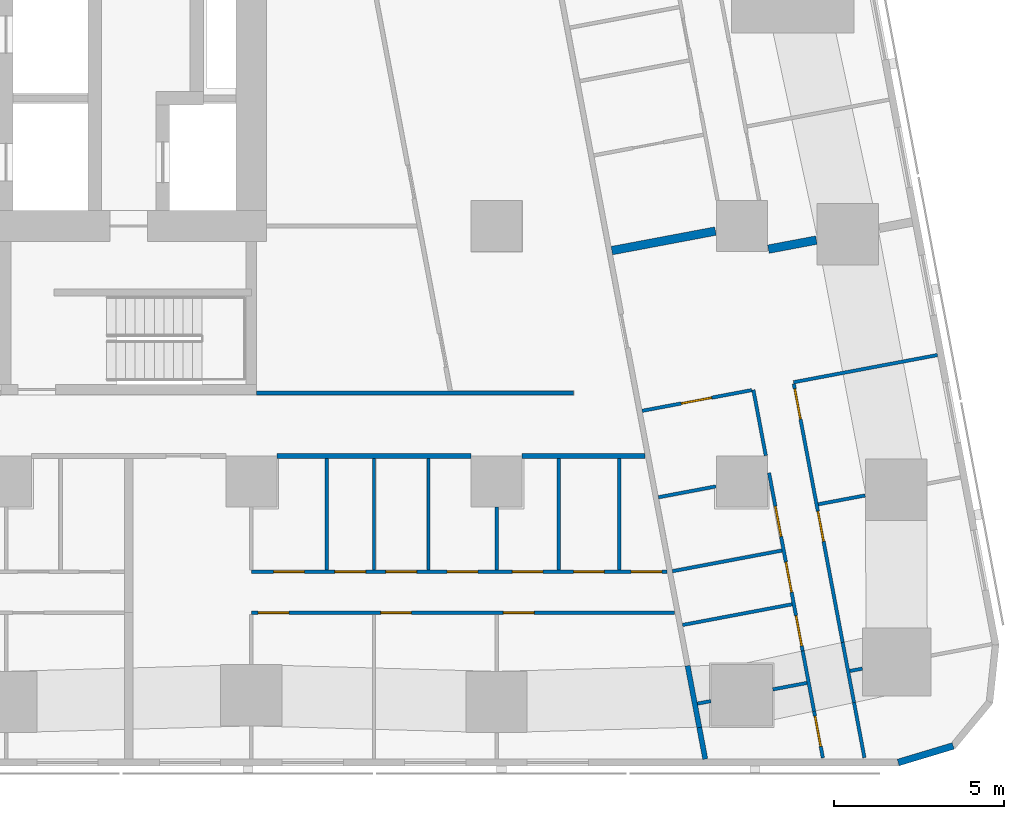
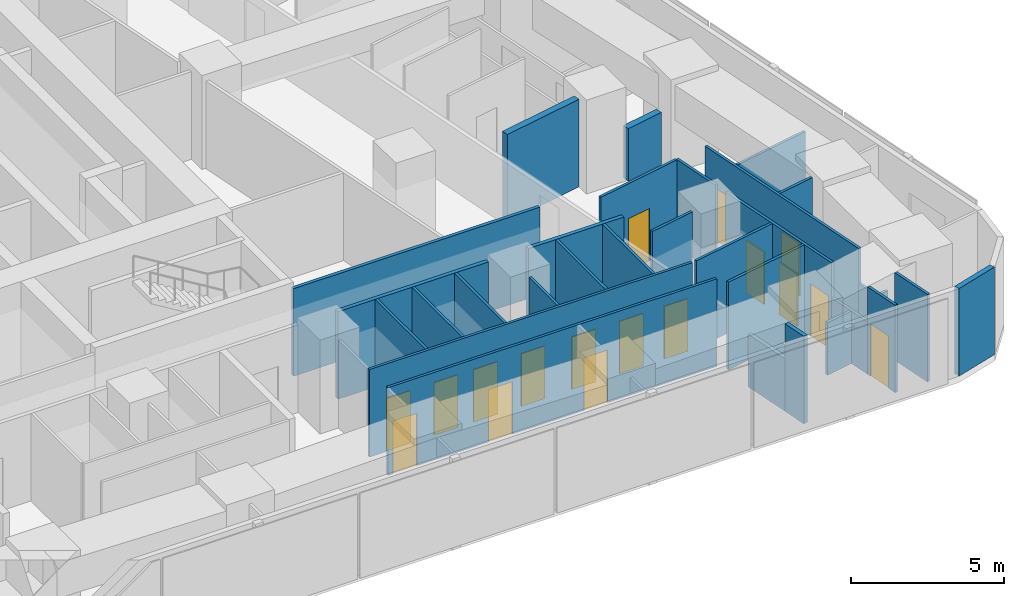
# One storey, part 6 of 15: 32 walls, 17 doors, 17 openings.
"""IFC4 building model written with IfcOpenShell, lengths in metres."""

from ifc_helpers import new_model, si_unit, direction, frame, frame_2d, origin, place, context, subcontext, project, spatial, rectangle, extrude, material, layer, layer_set, type_object, element, fill, save


model = new_model("IFC4")

# Units and contexts
model_context = context("Model", 3, precision=1e-05, world=origin(), true_north=direction((0.0, 1.0)))
body_context = subcontext(model_context, "Body", "Model", "MODEL_VIEW")
ifc_project = project(units=[si_unit("LENGTHUNIT", "METRE"), si_unit("AREAUNIT", "SQUARE_METRE"), si_unit("VOLUMEUNIT", "CUBIC_METRE"), si_unit("PLANEANGLEUNIT", "RADIAN"), si_unit("MASSUNIT", "GRAM", prefix="KILO")], contexts=[model_context])

# Site, building, storey
site_placement = place(None, origin())
site = spatial("IfcSite", under=ifc_project, at=site_placement, CompositionType="ELEMENT")
building_placement = place(site_placement, origin())
building = spatial("IfcBuilding", under=site, at=building_placement, Name="Sheger Commons Tower", CompositionType="ELEMENT")
storey_placement = place(building_placement, frame((0.0, 0.0, 154.550048828125)))
storey = spatial("IfcBuildingStorey", under=building, at=storey_placement, Name="L39", CompositionType="ELEMENT", Elevation=154.550048828125)

# Walls
ifc_material_1 = material(Name="Hollow concrete block masonry, skimmed both sides", Category="masonry")
ifc_layer_1 = layer(ifc_material_1, 0.14990234375)
ifc_layer_set_1 = layer_set([ifc_layer_1], Name="CORRIDOR WALL 150")
wall_type_1 = type_object("IfcWallType", Name="CORRIDOR WALL 150", PredefinedType="SOLIDWALL", material=ifc_layer_set_1)
wall_1_placement = place(storey_placement, frame((40.35595703125, 8.25, 0.0), z_axis=(0.0, 0.0, 1.0), x_axis=(-1.0, 0.0, 0.0)))
element("IfcWall", 1, at=wall_1_placement, inside=storey, type_object=wall_type_1, Name="Corridor wall L39", PredefinedType="SOLIDWALL", context=body_context, shape_type="SweptSolid", body=[
    extrude(rectangle(XDim=3.60498046875, YDim=0.14990234375, at=frame_2d((1.802490234375, 0.0))), origin(), (0.0, 0.0, 1.0), 3.5),
])
wall_2_placement = place(storey_placement, frame((35.2490234375, 8.25, 0.0), z_axis=(0.0, 0.0, 1.0), x_axis=(-1.0, 0.0, 0.0)))
element("IfcWall", 2, at=wall_2_placement, inside=storey, type_object=wall_type_1, Name="Corridor wall L39", PredefinedType="SOLIDWALL", context=body_context, shape_type="SweptSolid", body=[
    extrude(rectangle(XDim=5.697998046875, YDim=0.14990234375, at=frame_2d((2.84912109375, 0.0))), origin(), (0.0, 0.0, 1.0), 3.5),
])
wall_3_placement = place(storey_placement, frame((41.60888671875, 2.093017578125, 0.0), z_axis=(0.0, 0.0, 1.0), x_axis=(0.185708872674, -0.982604811005, 0.0)))
element("IfcWall", 3, at=wall_3_placement, inside=storey, type_object=wall_type_1, Name="Corridor wall L39", PredefinedType="SOLIDWALL", context=body_context, shape_type="SweptSolid", body=[
    extrude(rectangle(XDim=1.84716796875, YDim=0.14990234375, at=frame_2d((0.923583984375, 0.0))), origin(), (0.0, 0.0, 1.0), 2.099853515625),
])
wall_4_placement = place(storey_placement, frame((41.951904296875, 0.278076171875, 0.0), z_axis=(0.0, 0.0, 1.0), x_axis=(0.185365466984, -0.982669651332, 0.0)))
element("IfcWall", 4, at=wall_4_placement, inside=storey, type_object=wall_type_1, Name="Corridor wall L39", PredefinedType="SOLIDWALL", context=body_context, shape_type="SweptSolid", body=[
    extrude(rectangle(XDim=0.9443359375, YDim=0.14990234375, at=frame_2d((0.47216796875, 0.0))), origin(), (0.0, 0.0, 1.0), 3.5),
])
ifc_material_2 = material(Name="Dense concrete block masonry, plastered both sides (separating wall between flats)", Category="masonry")
ifc_layer_2 = layer(ifc_material_2, 0.25)
ifc_layer_set_2 = layer_set([ifc_layer_2], Name="DEMISING WALL 250")
wall_type_2 = type_object("IfcWallType", Name="DEMISING WALL 250", PredefinedType="SOLIDWALL", material=ifc_layer_set_2)
wall_5_placement = place(storey_placement, frame((45.389892578125, 14.587890625, 0.0), z_axis=(0.0, 0.0, 1.0), x_axis=(-0.982680951688, -0.18530555089, 0.0)))
element("IfcWall", 5, at=wall_5_placement, inside=storey, type_object=wall_type_2, Name="Demising wall L39", PredefinedType="SOLIDWALL", context=body_context, shape_type="SweptSolid", body=[
    extrude(rectangle(XDim=1.434814453125, YDim=0.25, at=frame_2d((0.71728515625, 0.0))), origin(), (0.0, 0.0, 1.0), 2.099853515625),
])
wall_6_placement = place(storey_placement, frame((42.426025390625, 14.85302734375, 0.0), z_axis=(0.0, 0.0, 1.0), x_axis=(-0.982660840416, -0.185412169809, 0.0)))
element("IfcWall", 6, at=wall_6_placement, inside=storey, type_object=wall_type_2, Name="Demising wall L39", PredefinedType="SOLIDWALL", context=body_context, shape_type="SweptSolid", body=[
    extrude(rectangle(XDim=3.095703125, YDim=0.25, at=frame_2d((1.5478515625, 0.0))), origin(), (0.0, 0.0, 1.0), 3.5),
])
ifc_material_3 = material(Name="Rendered concrete block masonry, dark grey", Category="masonry")
ifc_layer_3 = layer(ifc_material_3, 0.199951171875)
ifc_layer_set_3 = layer_set([ifc_layer_3], Name="FACADE WALL 200")
wall_type_3 = type_object("IfcWallType", Name="FACADE WALL 200", PredefinedType="SOLIDWALL", material=ifc_layer_set_3)
wall_7_placement = place(storey_placement, frame((47.791015625, -0.75, 0.0), z_axis=(0.0, 0.0, 1.0), x_axis=(0.957455232626, 0.288581838509, 0.0)))
element("IfcWall", 7, at=wall_7_placement, inside=storey, type_object=wall_type_3, Name="Facade wall L39", PredefinedType="SOLIDWALL", context=body_context, shape_type="SweptSolid", body=[
    extrude(rectangle(XDim=1.687744140625, YDim=0.199951171875, at=frame_2d((0.84375, 0.0))), origin(), (0.0, 0.0, 1.0), 3.5),
])

# Wall, openings, doors
ifc_material_4 = material(Name="Gypsum board on steel studs", Category="steel")
ifc_layer_4 = layer(ifc_material_4, 0.10009765625)
ifc_layer_set_4 = layer_set([ifc_layer_4], Name="PARTITION 100")
wall_type_4 = type_object("IfcWallType", Name="PARTITION 100", PredefinedType="PARTITIONING", material=ifc_layer_set_4)
wall_8_placement = place(storey_placement, frame((41.22900390625, 3.64990234375, 0.0), z_axis=(0.0, 0.0, 1.0), x_axis=(-1.0, 0.0, 0.0)))
wall_8 = element("IfcWall", 8, at=wall_8_placement, inside=storey, type_object=wall_type_4, Name="Partition L39", PredefinedType="PARTITIONING", context=body_context, shape_type="SweptSolid", body=[
    extrude(rectangle(XDim=12.428955078125, YDim=0.10009765625, at=frame_2d((6.21435546875, 0.0))), origin(), (0.0, 0.0, 1.0), 3.5),
])
opening_1_placement = place(wall_8_placement, frame((11.3291015625, 0.0, 0.0)))
opening_1 = element("IfcOpeningElement", 9, at=opening_1_placement, cuts=wall_8, Name="Opening D2", PredefinedType="OPENING", context=body_context, shape_type="SweptSolid", body=[
    extrude(rectangle(XDim=0.89990234375, YDim=2.10009765625, at=frame_2d((0.449951171875, 1.050048828125))), frame((0.0, 0.06005859375, 0.0), z_axis=(0.0, -1.0, 0.0), x_axis=(1.0, 0.0, 0.0)), (0.0, 0.0, 1.0), 0.1201171875),
])
opening_2_placement = place(wall_8_placement, frame((7.72900390625, 0.0, 0.0)))
opening_2 = element("IfcOpeningElement", 10, at=opening_2_placement, cuts=wall_8, Name="Opening D2", PredefinedType="OPENING", context=body_context, shape_type="SweptSolid", body=[
    extrude(rectangle(XDim=0.89990234375, YDim=2.10009765625, at=frame_2d((0.449951171875, 1.050048828125))), frame((0.0, 0.06005859375, 0.0), z_axis=(0.0, -1.0, 0.0), x_axis=(1.0, 0.0, 0.0)), (0.0, 0.0, 1.0), 0.1201171875),
])
opening_3_placement = place(wall_8_placement, frame((4.12890625, 0.0, 0.0)))
opening_3 = element("IfcOpeningElement", 11, at=opening_3_placement, cuts=wall_8, Name="Opening D2", PredefinedType="OPENING", context=body_context, shape_type="SweptSolid", body=[
    extrude(rectangle(XDim=0.89990234375, YDim=2.10009765625, at=frame_2d((0.449951171875, 1.050048828125))), frame((0.0, 0.06005859375, 0.0), z_axis=(0.0, -1.0, 0.0), x_axis=(1.0, 0.0, 0.0)), (0.0, 0.0, 1.0), 0.1201171875),
])
ifc_material_5 = material(Name="Timber door set", Category="wood")
door_type = type_object("IfcDoorType", Name="INTERNAL DOOR 900x2100", OperationType="NOTDEFINED", PredefinedType="DOOR", material=ifc_material_5)
door_1_placement = place(opening_1_placement, origin())
door_1 = element("IfcDoor", 12, at=door_1_placement, inside=storey, type_object=door_type, Name="Main bedroom door", OperationType="SINGLE_SWING_RIGHT", OverallHeight=2.10009765625, OverallWidth=0.89990234375, PredefinedType="DOOR", context=body_context, shape_type="SweptSolid", body=[
    extrude(rectangle(XDim=0.89990234375, YDim=2.10009765625, at=frame_2d((0.449951171875, 1.050048828125))), frame((0.0, 0.02490234375, 0.0), z_axis=(0.0, -1.0, 0.0), x_axis=(1.0, 0.0, 0.0)), (0.0, 0.0, 1.0), 0.050048828125),
])
fill(opening_1, door_1)
door_2_placement = place(opening_2_placement, origin())
door_2 = element("IfcDoor", 13, at=door_2_placement, inside=storey, type_object=door_type, Name="Bedroom 2 door", OperationType="SINGLE_SWING_RIGHT", OverallHeight=2.10009765625, OverallWidth=0.89990234375, PredefinedType="DOOR", context=body_context, shape_type="SweptSolid", body=[
    extrude(rectangle(XDim=0.89990234375, YDim=2.10009765625, at=frame_2d((0.449951171875, 1.050048828125))), frame((0.0, 0.02490234375, 0.0), z_axis=(0.0, -1.0, 0.0), x_axis=(1.0, 0.0, 0.0)), (0.0, 0.0, 1.0), 0.050048828125),
])
fill(opening_2, door_2)
door_3_placement = place(opening_3_placement, origin())
door_3 = element("IfcDoor", 14, at=door_3_placement, inside=storey, type_object=door_type, Name="Bedroom 3 door", OperationType="SINGLE_SWING_RIGHT", OverallHeight=2.10009765625, OverallWidth=0.89990234375, PredefinedType="DOOR", context=body_context, shape_type="SweptSolid", body=[
    extrude(rectangle(XDim=0.89990234375, YDim=2.10009765625, at=frame_2d((0.449951171875, 1.050048828125))), frame((0.0, 0.02490234375, 0.0), z_axis=(0.0, -1.0, 0.0), x_axis=(1.0, 0.0, 0.0)), (0.0, 0.0, 1.0), 0.050048828125),
])
fill(opening_3, door_3)

wall_9_placement = place(storey_placement, frame((41.001953125, 4.85009765625, 0.0), z_axis=(0.0, 0.0, 1.0), x_axis=(-1.0, 0.0, 0.0)))
wall_9 = element("IfcWall", 15, at=wall_9_placement, inside=storey, type_object=wall_type_4, Name="Partition L39", PredefinedType="PARTITIONING", context=body_context, shape_type="SweptSolid", body=[
    extrude(rectangle(XDim=12.201904296875, YDim=0.10009765625, at=frame_2d((6.10107421875, 0.0))), origin(), (0.0, 0.0, 1.0), 3.5),
])
opening_4_placement = place(wall_9_placement, frame((10.64697265625, 0.0, 0.0)))
opening_4 = element("IfcOpeningElement", 16, at=opening_4_placement, cuts=wall_9, Name="Opening D2", PredefinedType="OPENING", context=body_context, shape_type="SweptSolid", body=[
    extrude(rectangle(XDim=0.89990234375, YDim=2.10009765625, at=frame_2d((0.449951171875, 1.050048828125))), frame((0.0, 0.06005859375, 0.0), z_axis=(0.0, -1.0, 0.0), x_axis=(1.0, 0.0, 0.0)), (0.0, 0.0, 1.0), 0.1201171875),
])
opening_5_placement = place(wall_9_placement, frame((7.35205078125, 0.0, 0.0)))
opening_5 = element("IfcOpeningElement", 17, at=opening_5_placement, cuts=wall_9, Name="Opening D2", PredefinedType="OPENING", context=body_context, shape_type="SweptSolid", body=[
    extrude(rectangle(XDim=0.89990234375, YDim=2.10009765625, at=frame_2d((0.449951171875, 1.050048828125))), frame((0.0, 0.06005859375, 0.0), z_axis=(0.0, -1.0, 0.0), x_axis=(1.0, 0.0, 0.0)), (0.0, 0.0, 1.0), 0.1201171875),
])
opening_6_placement = place(wall_9_placement, frame((3.64208984375, 0.0, 0.0)))
opening_6 = element("IfcOpeningElement", 18, at=opening_6_placement, cuts=wall_9, Name="Opening D2", PredefinedType="OPENING", context=body_context, shape_type="SweptSolid", body=[
    extrude(rectangle(XDim=0.89990234375, YDim=2.10009765625, at=frame_2d((0.449951171875, 1.050048828125))), frame((0.0, 0.06005859375, 0.0), z_axis=(0.0, -1.0, 0.0), x_axis=(1.0, 0.0, 0.0)), (0.0, 0.0, 1.0), 0.1201171875),
])
opening_7_placement = place(wall_9_placement, frame((0.14990234375, 0.0, 0.0)))
opening_7 = element("IfcOpeningElement", 19, at=opening_7_placement, cuts=wall_9, Name="Opening D2", PredefinedType="OPENING", context=body_context, shape_type="SweptSolid", body=[
    extrude(rectangle(XDim=0.89990234375, YDim=2.10009765625, at=frame_2d((0.449951171875, 1.050048828125))), frame((0.0, 0.06005859375, 0.0), z_axis=(0.0, -1.0, 0.0), x_axis=(1.0, 0.0, 0.0)), (0.0, 0.0, 1.0), 0.1201171875),
])
opening_8_placement = place(wall_9_placement, frame((8.846923828125, 0.0, 0.0)))
opening_8 = element("IfcOpeningElement", 20, at=opening_8_placement, cuts=wall_9, Name="Opening D2", PredefinedType="OPENING", context=body_context, shape_type="SweptSolid", body=[
    extrude(rectangle(XDim=0.89990234375, YDim=2.10009765625, at=frame_2d((0.449951171875, 1.050048828125))), frame((0.0, 0.06005859375, 0.0), z_axis=(0.0, -1.0, 0.0), x_axis=(1.0, 0.0, 0.0)), (0.0, 0.0, 1.0), 0.1201171875),
])
opening_9_placement = place(wall_9_placement, frame((5.552001953125, 0.0, 0.0)))
opening_9 = element("IfcOpeningElement", 21, at=opening_9_placement, cuts=wall_9, Name="Opening D2", PredefinedType="OPENING", context=body_context, shape_type="SweptSolid", body=[
    extrude(rectangle(XDim=0.89990234375, YDim=2.10009765625, at=frame_2d((0.449951171875, 1.050048828125))), frame((0.0, 0.06005859375, 0.0), z_axis=(0.0, -1.0, 0.0), x_axis=(1.0, 0.0, 0.0)), (0.0, 0.0, 1.0), 0.1201171875),
])
opening_10_placement = place(wall_9_placement, frame((1.842041015625, 0.0, 0.0)))
opening_10 = element("IfcOpeningElement", 22, at=opening_10_placement, cuts=wall_9, Name="Opening D2", PredefinedType="OPENING", context=body_context, shape_type="SweptSolid", body=[
    extrude(rectangle(XDim=0.89990234375, YDim=2.10009765625, at=frame_2d((0.449951171875, 1.050048828125))), frame((0.0, 0.06005859375, 0.0), z_axis=(0.0, -1.0, 0.0), x_axis=(1.0, 0.0, 0.0)), (0.0, 0.0, 1.0), 0.1201171875),
])
door_4_placement = place(opening_4_placement, origin())
door_4 = element("IfcDoor", 23, at=door_4_placement, inside=storey, type_object=door_type, Name="Bathroom door", OperationType="SINGLE_SWING_LEFT", OverallHeight=2.10009765625, OverallWidth=0.89990234375, PredefinedType="DOOR", context=body_context, shape_type="SweptSolid", body=[
    extrude(rectangle(XDim=0.89990234375, YDim=2.10009765625, at=frame_2d((0.449951171875, 1.050048828125))), frame((0.0, 0.02490234375, 0.0), z_axis=(0.0, -1.0, 0.0), x_axis=(1.0, 0.0, 0.0)), (0.0, 0.0, 1.0), 0.050048828125),
])
fill(opening_4, door_4)
door_5_placement = place(opening_5_placement, origin())
door_5 = element("IfcDoor", 24, at=door_5_placement, inside=storey, type_object=door_type, Name="Shower room door", OperationType="SINGLE_SWING_RIGHT", OverallHeight=2.10009765625, OverallWidth=0.89990234375, PredefinedType="DOOR", context=body_context, shape_type="SweptSolid", body=[
    extrude(rectangle(XDim=0.89990234375, YDim=2.10009765625, at=frame_2d((0.449951171875, 1.050048828125))), frame((0.0, 0.02490234375, 0.0), z_axis=(0.0, -1.0, 0.0), x_axis=(1.0, 0.0, 0.0)), (0.0, 0.0, 1.0), 0.050048828125),
])
fill(opening_5, door_5)
door_6_placement = place(opening_6_placement, origin())
door_6 = element("IfcDoor", 25, at=door_6_placement, inside=storey, type_object=door_type, Name="Laundry room door", OperationType="SINGLE_SWING_RIGHT", OverallHeight=2.10009765625, OverallWidth=0.89990234375, PredefinedType="DOOR", context=body_context, shape_type="SweptSolid", body=[
    extrude(rectangle(XDim=0.89990234375, YDim=2.10009765625, at=frame_2d((0.449951171875, 1.050048828125))), frame((0.0, 0.02490234375, 0.0), z_axis=(0.0, -1.0, 0.0), x_axis=(1.0, 0.0, 0.0)), (0.0, 0.0, 1.0), 0.050048828125),
])
fill(opening_6, door_6)
door_7_placement = place(opening_7_placement, origin())
door_7 = element("IfcDoor", 26, at=door_7_placement, inside=storey, type_object=door_type, Name="Store and laundry door", OperationType="SINGLE_SWING_RIGHT", OverallHeight=2.10009765625, OverallWidth=0.89990234375, PredefinedType="DOOR", context=body_context, shape_type="SweptSolid", body=[
    extrude(rectangle(XDim=0.89990234375, YDim=2.10009765625, at=frame_2d((0.449951171875, 1.050048828125))), frame((0.0, 0.02490234375, 0.0), z_axis=(0.0, -1.0, 0.0), x_axis=(1.0, 0.0, 0.0)), (0.0, 0.0, 1.0), 0.050048828125),
])
fill(opening_7, door_7)
door_8_placement = place(opening_8_placement, origin())
door_8 = element("IfcDoor", 27, at=door_8_placement, inside=storey, type_object=door_type, Name="Store door", OperationType="SINGLE_SWING_LEFT", OverallHeight=2.10009765625, OverallWidth=0.89990234375, PredefinedType="DOOR", context=body_context, shape_type="SweptSolid", body=[
    extrude(rectangle(XDim=0.89990234375, YDim=2.10009765625, at=frame_2d((0.449951171875, 1.050048828125))), frame((0.0, 0.02490234375, 0.0), z_axis=(0.0, -1.0, 0.0), x_axis=(1.0, 0.0, 0.0)), (0.0, 0.0, 1.0), 0.050048828125),
])
fill(opening_8, door_8)
door_9_placement = place(opening_9_placement, origin())
door_9 = element("IfcDoor", 28, at=door_9_placement, inside=storey, type_object=door_type, Name="Store door", OperationType="SINGLE_SWING_LEFT", OverallHeight=2.10009765625, OverallWidth=0.89990234375, PredefinedType="DOOR", context=body_context, shape_type="SweptSolid", body=[
    extrude(rectangle(XDim=0.89990234375, YDim=2.10009765625, at=frame_2d((0.449951171875, 1.050048828125))), frame((0.0, 0.02490234375, 0.0), z_axis=(0.0, -1.0, 0.0), x_axis=(1.0, 0.0, 0.0)), (0.0, 0.0, 1.0), 0.050048828125),
])
fill(opening_9, door_9)
door_10_placement = place(opening_10_placement, origin())
door_10 = element("IfcDoor", 29, at=door_10_placement, inside=storey, type_object=door_type, Name="Store door", OperationType="SINGLE_SWING_LEFT", OverallHeight=2.10009765625, OverallWidth=0.89990234375, PredefinedType="DOOR", context=body_context, shape_type="SweptSolid", body=[
    extrude(rectangle(XDim=0.89990234375, YDim=2.10009765625, at=frame_2d((0.449951171875, 1.050048828125))), frame((0.0, 0.02490234375, 0.0), z_axis=(0.0, -1.0, 0.0), x_axis=(1.0, 0.0, 0.0)), (0.0, 0.0, 1.0), 0.050048828125),
])
fill(opening_10, door_10)

# Walls
wall_10_placement = place(storey_placement, frame((32.39990234375, 4.89990234375, 0.0), z_axis=(0.0, 0.0, 1.0), x_axis=(0.0, 1.0, 0.0)))
element("IfcWall", 30, at=wall_10_placement, inside=storey, type_object=wall_type_4, Name="Partition L39", PredefinedType="PARTITIONING", context=body_context, shape_type="SweptSolid", body=[
    extrude(rectangle(XDim=3.275146484375, YDim=0.10009765625, at=frame_2d((1.6376953125, 0.0))), origin(), (0.0, 0.0, 1.0), 3.5),
])
wall_11_placement = place(storey_placement, frame((36.0, 4.89990234375, 0.0), z_axis=(0.0, 0.0, 1.0), x_axis=(0.0, 1.0, 0.0)))
element("IfcWall", 31, at=wall_11_placement, inside=storey, type_object=wall_type_4, Name="Partition L39", PredefinedType="PARTITIONING", context=body_context, shape_type="SweptSolid", body=[
    extrude(rectangle(XDim=1.84912109375, YDim=0.10009765625, at=frame_2d((0.924560546875, 0.0))), origin(), (0.0, 0.0, 1.0), 3.5),
])
for number, where, z_axis, x_axis, name in (
    (32, (39.60009765625, 4.89990234375, 0.0), (0.0, 0.0, 1.0), (0.0, 1.0, 0.0), "Partition L39"),
    (33, (31.010009765625, 4.89990234375, 0.0), (0.0, 0.0, 1.0), (0.0, 1.0, 0.0), "Partition L39"),
    (34, (34.0, 4.89990234375, 0.0), (0.0, 0.0, 1.0), (0.0, 1.0, 0.0), "Partition L39"),
    (35, (37.820068359375, 4.89990234375, 0.0), (0.0, 0.0, 1.0), (0.0, 1.0, 0.0), "Partition L39"),
):
    element("IfcWall", number, at=place(storey_placement, frame(where, z_axis=z_axis, x_axis=x_axis)), inside=storey, type_object=wall_type_4, Name=name, PredefinedType="PARTITIONING", context=body_context, shape_type="SweptSolid", body=[
        extrude(rectangle(XDim=3.275146484375, YDim=0.10009765625, at=frame_2d((1.6376953125, 0.0))), origin(), (0.0, 0.0, 1.0), 3.5),
    ])

# Wall, openings, doors
wall_12_placement = place(storey_placement, frame((44.72705078125, 10.365966796875, 0.0), z_axis=(0.0, 0.0, 1.0), x_axis=(0.185578957652, -0.982629355595, 0.0)))
wall_12 = element("IfcWall", 36, at=wall_12_placement, inside=storey, type_object=wall_type_4, Name="Partition L39", PredefinedType="PARTITIONING", context=body_context, shape_type="SweptSolid", body=[
    extrude(rectangle(XDim=7.720947265625, YDim=0.10009765625, at=frame_2d((3.8603515625, 0.0))), origin(), (0.0, 0.0, 1.0), 3.5),
])
opening_11_placement = place(wall_12_placement, frame((0.15087890625, 0.0, 0.0)))
opening_11 = element("IfcOpeningElement", 37, at=opening_11_placement, cuts=wall_12, Name="Opening D2", PredefinedType="OPENING", context=body_context, shape_type="SweptSolid", body=[
    extrude(rectangle(XDim=0.89990234375, YDim=2.10009765625, at=frame_2d((0.449951171875, 1.050048828125))), frame((0.0, 0.06005859375, 0.0), z_axis=(0.0, -1.0, 0.0), x_axis=(1.0, 0.0, 0.0)), (0.0, 0.0, 1.0), 0.1201171875),
])
opening_12_placement = place(wall_12_placement, frame((3.805908203125, 0.0, 0.0)))
opening_12 = element("IfcOpeningElement", 38, at=opening_12_placement, cuts=wall_12, Name="Opening D2", PredefinedType="OPENING", context=body_context, shape_type="SweptSolid", body=[
    extrude(rectangle(XDim=0.89990234375, YDim=2.10009765625, at=frame_2d((0.449951171875, 1.050048828125))), frame((0.0, 0.06005859375, 0.0), z_axis=(0.0, -1.0, 0.0), x_axis=(1.0, 0.0, 0.0)), (0.0, 0.0, 1.0), 0.1201171875),
])
door_11_placement = place(opening_11_placement, origin())
door_11 = element("IfcDoor", 39, at=door_11_placement, inside=storey, type_object=door_type, Name="Main bedroom door", OperationType="SINGLE_SWING_LEFT", OverallHeight=2.10009765625, OverallWidth=0.89990234375, PredefinedType="DOOR", context=body_context, shape_type="SweptSolid", body=[
    extrude(rectangle(XDim=0.89990234375, YDim=2.10009765625, at=frame_2d((0.449951171875, 1.050048828125))), frame((0.0, 0.02490234375, 0.0), z_axis=(0.0, -1.0, 0.0), x_axis=(1.0, 0.0, 0.0)), (0.0, 0.0, 1.0), 0.050048828125),
])
fill(opening_11, door_11)
door_12_placement = place(opening_12_placement, origin())
door_12 = element("IfcDoor", 40, at=door_12_placement, inside=storey, type_object=door_type, Name="Bedroom 2 door", OperationType="SINGLE_SWING_LEFT", OverallHeight=2.10009765625, OverallWidth=0.89990234375, PredefinedType="DOOR", context=body_context, shape_type="SweptSolid", body=[
    extrude(rectangle(XDim=0.89990234375, YDim=2.10009765625, at=frame_2d((0.449951171875, 1.050048828125))), frame((0.0, 0.02490234375, 0.0), z_axis=(0.0, -1.0, 0.0), x_axis=(1.0, 0.0, 0.0)), (0.0, 0.0, 1.0), 0.050048828125),
])
fill(opening_12, door_12)

# Walls
wall_13_placement = place(storey_placement, frame((46.159912109375, 2.779052734375, 0.0), z_axis=(0.0, 0.0, 1.0), x_axis=(0.18597295662, -0.982554863306, 0.0)))
element("IfcWall", 41, at=wall_13_placement, inside=storey, type_object=wall_type_4, Name="Partition L39", PredefinedType="PARTITIONING", context=body_context, shape_type="SweptSolid", body=[
    extrude(rectangle(XDim=1.802490234375, YDim=0.10009765625, at=frame_2d((0.9013671875, 0.0))), origin(), (0.0, 0.0, 1.0), 2.099853515625),
])
wall_14_placement = place(storey_placement, frame((46.4951171875, 1.008056640625, 0.0), z_axis=(0.0, 0.0, 1.0), x_axis=(0.185535059532, -0.982637645159, 0.0)))
element("IfcWall", 42, at=wall_14_placement, inside=storey, type_object=wall_type_4, Name="Partition L39", PredefinedType="PARTITIONING", context=body_context, shape_type="SweptSolid", body=[
    extrude(rectangle(XDim=1.6435546875, YDim=0.10009765625, at=frame_2d((0.82177734375, 0.0))), origin(), (0.0, 0.0, 1.0), 3.5),
])
wall_15_placement = place(storey_placement, frame((43.5390625, 10.19189453125, 0.0), z_axis=(0.0, 0.0, 1.0), x_axis=(0.18564540894, -0.982616803306, 0.0)))
element("IfcWall", 43, at=wall_15_placement, inside=storey, type_object=wall_type_4, Name="Partition L39", PredefinedType="PARTITIONING", context=body_context, shape_type="SweptSolid", body=[
    extrude(rectangle(XDim=1.966064453125, YDim=0.10009765625, at=frame_2d((0.98291015625, 0.0))), origin(), (0.0, 0.0, 1.0), 3.5),
])

# Wall, openings, doors
wall_16_placement = place(storey_placement, frame((43.9990234375, 7.7548828125, 0.0), z_axis=(0.0, 0.0, 1.0), x_axis=(0.185565904578, -0.982631820703, 0.0)))
wall_16 = element("IfcWall", 44, at=wall_16_placement, inside=storey, type_object=wall_type_4, Name="Partition L39", PredefinedType="PARTITIONING", context=body_context, shape_type="SweptSolid", body=[
    extrude(rectangle(XDim=5.319091796875, YDim=0.10009765625, at=frame_2d((2.65966796875, 0.0))), origin(), (0.0, 0.0, 1.0), 3.5),
])
opening_13_placement = place(wall_16_placement, frame((1.0, 0.0, 0.0)))
opening_13 = element("IfcOpeningElement", 45, at=opening_13_placement, cuts=wall_16, Name="Opening D2", PredefinedType="OPENING", context=body_context, shape_type="SweptSolid", body=[
    extrude(rectangle(XDim=0.89990234375, YDim=2.10009765625, at=frame_2d((0.449951171875, 1.050048828125))), frame((0.0, 0.06005859375, 0.0), z_axis=(0.0, -1.0, 0.0), x_axis=(1.0, 0.0, 0.0)), (0.0, 0.0, 1.0), 0.1201171875),
])
opening_14_placement = place(wall_16_placement, frame((4.26904296875, 0.0, 0.0)))
opening_14 = element("IfcOpeningElement", 46, at=opening_14_placement, cuts=wall_16, Name="Opening D2", PredefinedType="OPENING", context=body_context, shape_type="SweptSolid", body=[
    extrude(rectangle(XDim=0.89990234375, YDim=2.10009765625, at=frame_2d((0.449951171875, 1.050048828125))), frame((0.0, 0.06005859375, 0.0), z_axis=(0.0, -1.0, 0.0), x_axis=(1.0, 0.0, 0.0)), (0.0, 0.0, 1.0), 0.1201171875),
])
opening_15_placement = place(wall_16_placement, frame((2.6650390625, 0.0, 0.0)))
opening_15 = element("IfcOpeningElement", 47, at=opening_15_placement, cuts=wall_16, Name="Opening D2", PredefinedType="OPENING", context=body_context, shape_type="SweptSolid", body=[
    extrude(rectangle(XDim=0.89990234375, YDim=2.10009765625, at=frame_2d((0.449951171875, 1.050048828125))), frame((0.0, 0.06005859375, 0.0), z_axis=(0.0, -1.0, 0.0), x_axis=(1.0, 0.0, 0.0)), (0.0, 0.0, 1.0), 0.1201171875),
])
door_13_placement = place(opening_13_placement, origin())
door_13 = element("IfcDoor", 48, at=door_13_placement, inside=storey, type_object=door_type, Name="Bathroom door", OperationType="SINGLE_SWING_LEFT", OverallHeight=2.10009765625, OverallWidth=0.89990234375, PredefinedType="DOOR", context=body_context, shape_type="SweptSolid", body=[
    extrude(rectangle(XDim=0.89990234375, YDim=2.10009765625, at=frame_2d((0.449951171875, 1.050048828125))), frame((0.0, 0.02490234375, 0.0), z_axis=(0.0, -1.0, 0.0), x_axis=(1.0, 0.0, 0.0)), (0.0, 0.0, 1.0), 0.050048828125),
])
fill(opening_13, door_13)
door_14_placement = place(opening_14_placement, origin())
door_14 = element("IfcDoor", 49, at=door_14_placement, inside=storey, type_object=door_type, Name="Laundry room door", OperationType="SINGLE_SWING_LEFT", OverallHeight=2.10009765625, OverallWidth=0.89990234375, PredefinedType="DOOR", context=body_context, shape_type="SweptSolid", body=[
    extrude(rectangle(XDim=0.89990234375, YDim=2.10009765625, at=frame_2d((0.449951171875, 1.050048828125))), frame((0.0, 0.02490234375, 0.0), z_axis=(0.0, -1.0, 0.0), x_axis=(1.0, 0.0, 0.0)), (0.0, 0.0, 1.0), 0.050048828125),
])
fill(opening_14, door_14)
door_15_placement = place(opening_15_placement, origin())
door_15 = element("IfcDoor", 50, at=door_15_placement, inside=storey, type_object=door_type, Name="Store door", OperationType="SINGLE_SWING_LEFT", OverallHeight=2.10009765625, OverallWidth=0.89990234375, PredefinedType="DOOR", context=body_context, shape_type="SweptSolid", body=[
    extrude(rectangle(XDim=0.89990234375, YDim=2.10009765625, at=frame_2d((0.449951171875, 1.050048828125))), frame((0.0, 0.02490234375, 0.0), z_axis=(0.0, -1.0, 0.0), x_axis=(1.0, 0.0, 0.0)), (0.0, 0.0, 1.0), 0.050048828125),
])
fill(opening_15, door_15)

# Wall
wall_17_placement = place(storey_placement, frame((44.986083984375, 2.528076171875, 0.0), z_axis=(0.0, 0.0, 1.0), x_axis=(0.18584218627, -0.982579605835, 0.0)))
element("IfcWall", 51, at=wall_17_placement, inside=storey, type_object=wall_type_4, Name="Partition L39", PredefinedType="PARTITIONING", context=body_context, shape_type="SweptSolid", body=[
    extrude(rectangle(XDim=1.802490234375, YDim=0.10009765625, at=frame_2d((0.9013671875, 0.0))), origin(), (0.0, 0.0, 1.0), 2.099853515625),
])

# Wall, opening, door
wall_18_placement = place(storey_placement, frame((45.321044921875, 0.757080078125, 0.0), z_axis=(0.0, 0.0, 1.0), x_axis=(0.185640562635, -0.982617718904, 0.0)))
wall_18 = element("IfcWall", 52, at=wall_18_placement, inside=storey, type_object=wall_type_4, Name="Partition L39", PredefinedType="PARTITIONING", context=body_context, shape_type="SweptSolid", body=[
    extrude(rectangle(XDim=1.395263671875, YDim=0.10009765625, at=frame_2d((0.69775390625, 0.0))), origin(), (0.0, 0.0, 1.0), 3.5),
])
opening_16_placement = place(wall_18_placement, frame((0.14990234375, 0.0, 0.0)))
opening_16 = element("IfcOpeningElement", 53, at=opening_16_placement, cuts=wall_18, Name="Opening D2", PredefinedType="OPENING", context=body_context, shape_type="SweptSolid", body=[
    extrude(rectangle(XDim=0.89990234375, YDim=2.10009765625, at=frame_2d((0.449951171875, 1.050048828125))), frame((0.0, 0.06005859375, 0.0), z_axis=(0.0, -1.0, 0.0), x_axis=(1.0, 0.0, 0.0)), (0.0, 0.0, 1.0), 0.1201171875),
])
door_16_placement = place(opening_16_placement, origin())
door_16 = element("IfcDoor", 54, at=door_16_placement, inside=storey, type_object=door_type, Name="Laundry room door", OperationType="SINGLE_SWING_RIGHT", OverallHeight=2.10009765625, OverallWidth=0.89990234375, PredefinedType="DOOR", context=body_context, shape_type="SweptSolid", body=[
    extrude(rectangle(XDim=0.89990234375, YDim=2.10009765625, at=frame_2d((0.449951171875, 1.050048828125))), frame((0.0, 0.02490234375, 0.0), z_axis=(0.0, -1.0, 0.0), x_axis=(1.0, 0.0, 0.0)), (0.0, 0.0, 1.0), 0.050048828125),
])
fill(opening_16, door_16)

# Walls
wall_19_placement = place(storey_placement, frame((48.943115234375, 11.212890625, 0.0), z_axis=(0.0, 0.0, 1.0), x_axis=(-0.982633535512, -0.185556823879, 0.0)))
element("IfcWall", 55, at=wall_19_placement, inside=storey, type_object=wall_type_4, Name="Partition L39", PredefinedType="PARTITIONING", context=body_context, shape_type="SweptSolid", body=[
    extrude(rectangle(XDim=4.2998046875, YDim=0.10009765625, at=frame_2d((2.14990234375, 0.0))), origin(), (0.0, 0.0, 1.0), 2.099853515625),
])
wall_20_placement = place(storey_placement, frame((46.820068359375, 7.091064453125, 0.0), z_axis=(0.0, 0.0, 1.0), x_axis=(-0.982689853246, -0.185258339427, 0.0)))
element("IfcWall", 56, at=wall_20_placement, inside=storey, type_object=wall_type_4, Name="Partition L39", PredefinedType="PARTITIONING", context=body_context, shape_type="SweptSolid", body=[
    extrude(rectangle(XDim=1.398193359375, YDim=0.10009765625, at=frame_2d((0.69921875, 0.0))), origin(), (0.0, 0.0, 1.0), 3.5),
])
wall_21_placement = place(storey_placement, frame((46.738037109375, 2.006103515625, 0.0), z_axis=(0.0, 0.0, 1.0), x_axis=(-0.982820466874, -0.184564161994, 0.0)))
element("IfcWall", 57, at=wall_21_placement, inside=storey, type_object=wall_type_4, Name="Partition L39", PredefinedType="PARTITIONING", context=body_context, shape_type="SweptSolid", body=[
    extrude(rectangle(XDim=0.374267578125, YDim=0.10009765625, at=frame_2d((0.18701171875, 0.0))), origin(), (0.0, 0.0, 1.0), 2.099853515625),
])

# Wall, opening, door
wall_22_placement = place(storey_placement, frame((43.489990234375, 10.18310546875, 0.0), z_axis=(0.0, 0.0, 1.0), x_axis=(-0.982607026909, -0.185697147715, 0.0)))
wall_22 = element("IfcWall", 58, at=wall_22_placement, inside=storey, type_object=wall_type_4, Name="Partition L39", PredefinedType="PARTITIONING", context=body_context, shape_type="SweptSolid", body=[
    extrude(rectangle(XDim=3.27490234375, YDim=0.10009765625, at=frame_2d((1.637451171875, 0.0))), origin(), (0.0, 0.0, 1.0), 3.5),
])
opening_17_placement = place(wall_22_placement, frame((1.199951171875, 0.0, 0.0)))
opening_17 = element("IfcOpeningElement", 59, at=opening_17_placement, cuts=wall_22, Name="Opening D2", PredefinedType="OPENING", context=body_context, shape_type="SweptSolid", body=[
    extrude(rectangle(XDim=0.89990234375, YDim=2.10009765625, at=frame_2d((0.449951171875, 1.050048828125))), frame((0.0, 0.06005859375, 0.0), z_axis=(0.0, -1.0, 0.0), x_axis=(1.0, 0.0, 0.0)), (0.0, 0.0, 1.0), 0.1201171875),
])
door_17_placement = place(opening_17_placement, origin())
door_17 = element("IfcDoor", 60, at=door_17_placement, inside=storey, type_object=door_type, Name="Store door", OperationType="SINGLE_SWING_LEFT", OverallHeight=2.10009765625, OverallWidth=0.89990234375, PredefinedType="DOOR", context=body_context, shape_type="SweptSolid", body=[
    extrude(rectangle(XDim=0.89990234375, YDim=2.10009765625, at=frame_2d((0.449951171875, 1.050048828125))), frame((0.0, 0.02490234375, 0.0), z_axis=(0.0, -1.0, 0.0), x_axis=(1.0, 0.0, 0.0)), (0.0, 0.0, 1.0), 0.050048828125),
])
fill(opening_17, door_17)

# Walls
wall_23_placement = place(storey_placement, frame((42.43994140625, 7.35693359375, 0.0), z_axis=(0.0, 0.0, 1.0), x_axis=(-0.982643094077, -0.185506198448, 0.0)))
element("IfcWall", 61, at=wall_23_placement, inside=storey, type_object=wall_type_4, Name="Partition L39", PredefinedType="PARTITIONING", context=body_context, shape_type="SweptSolid", body=[
    extrude(rectangle(XDim=1.71875, YDim=0.10009765625, at=frame_2d((0.859375, 0.0))), origin(), (0.0, 0.0, 1.0), 3.5),
])
wall_24_placement = place(storey_placement, frame((45.114013671875, 1.5869140625, 0.0), z_axis=(0.0, 0.0, 1.0), x_axis=(-0.982567886437, -0.185904138047, 0.0)))
element("IfcWall", 62, at=wall_24_placement, inside=storey, type_object=wall_type_4, Name="Partition L39", PredefinedType="PARTITIONING", context=body_context, shape_type="SweptSolid", body=[
    extrude(rectangle(XDim=1.021728515625, YDim=0.10009765625, at=frame_2d((0.5107421875, 0.0))), origin(), (0.0, 0.0, 1.0), 2.099853515625),
])
wall_25_placement = place(storey_placement, frame((42.2900390625, 1.052978515625, 0.0), z_axis=(0.0, 0.0, 1.0), x_axis=(-0.982830800147, -0.184509127909, 0.0)))
element("IfcWall", 63, at=wall_25_placement, inside=storey, type_object=wall_type_4, Name="Partition L39", PredefinedType="PARTITIONING", context=body_context, shape_type="SweptSolid", body=[
    extrude(rectangle(XDim=0.40087890625, YDim=0.10009765625, at=frame_2d((0.200439453125, 0.0))), origin(), (0.0, 0.0, 1.0), 2.099853515625),
])
wall_26_placement = place(storey_placement, frame((44.677001953125, 3.89599609375, 0.0), z_axis=(0.0, 0.0, 1.0), x_axis=(-0.982610347627, -0.185679575441, 0.0)))
element("IfcWall", 64, at=wall_26_placement, inside=storey, type_object=wall_type_4, Name="Partition L39", PredefinedType="PARTITIONING", context=body_context, shape_type="SweptSolid", body=[
    extrude(rectangle(XDim=3.27392578125, YDim=0.10009765625, at=frame_2d((1.636962890625, 0.0))), origin(), (0.0, 0.0, 1.0), 3.5),
])
wall_27_placement = place(storey_placement, frame((44.37890625, 5.47412109375, 0.0), z_axis=(0.0, 0.0, 1.0), x_axis=(-0.982607026909, -0.185697147715, 0.0)))
element("IfcWall", 65, at=wall_27_placement, inside=storey, type_object=wall_type_4, Name="Partition L39", PredefinedType="PARTITIONING", context=body_context, shape_type="SweptSolid", body=[
    extrude(rectangle(XDim=3.27490234375, YDim=0.10009765625, at=frame_2d((1.637451171875, 0.0))), origin(), (0.0, 0.0, 1.0), 3.5),
])
ifc_material_6 = material(Name="Gypsum board on steel studs, two layers each side, fire rated", Category="steel")
ifc_layer_5 = layer(ifc_material_6, 0.125)
ifc_layer_set_5 = layer_set([ifc_layer_5], Name="SERVICE WALL 125")
wall_type_5 = type_object("IfcWallType", Name="SERVICE WALL 125", PredefinedType="PARTITIONING", material=ifc_layer_set_5)
wall_28_placement = place(storey_placement, frame((28.949951171875, 10.10009765625, 0.0), z_axis=(0.0, 0.0, 1.0), x_axis=(1.0, 0.0, 0.0)))
element("IfcWall", 66, at=wall_28_placement, inside=storey, type_object=wall_type_5, Name="Service room wall L39", PredefinedType="PARTITIONING", context=body_context, shape_type="SweptSolid", body=[
    extrude(rectangle(XDim=9.31494140625, YDim=0.125, at=frame_2d((4.657470703125, 0.0))), origin(), (0.0, 0.0, 1.0), 3.5),
])

save(model, "model.ifc")
